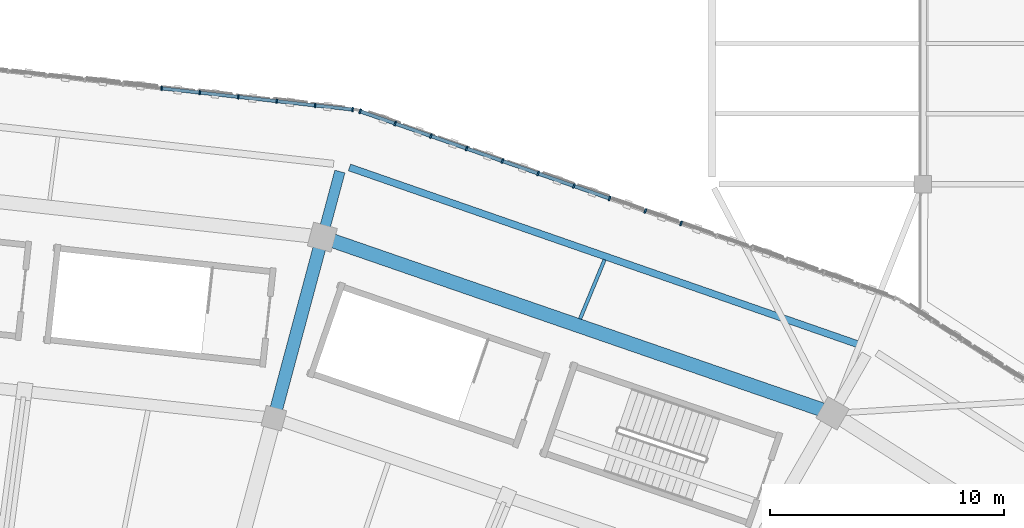
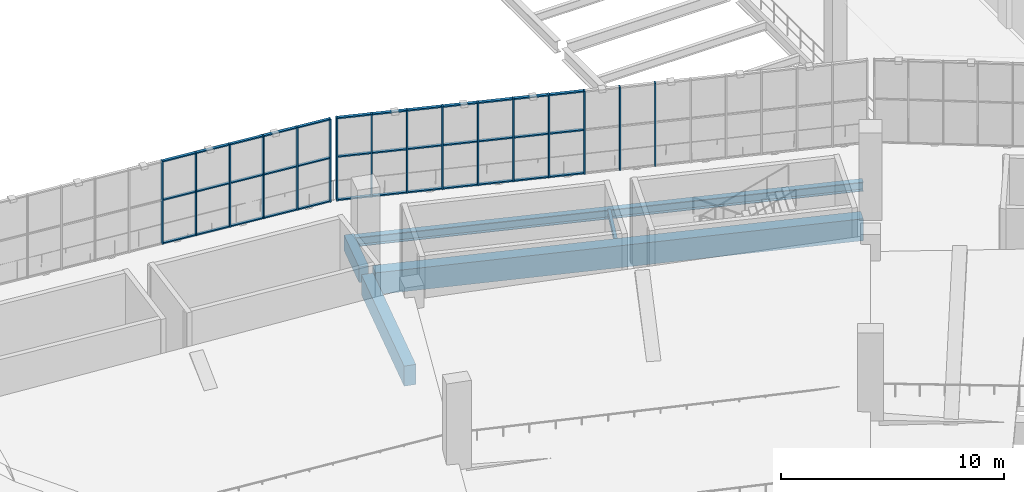
# One storey, part 63 of 152: 52 members, 5 beams, 2 elements without a shape of their own.
"""IFC4 building model written with IfcOpenShell, lengths in metres."""

from ifc_helpers import new_model, si_unit, direction, frame, origin, origin_2d, place, context, subcontext, project, spatial, rectangle, i_section, extrude, material, material_profile, profile_set, type_object, element, aggregate, save


model = new_model("IFC4")

# Units and contexts
model_context = context("Model", 3, precision=1e-05, world=origin(), true_north=direction((0.0, 1.0)))
body_context = subcontext(model_context, "Body", "Model", "MODEL_VIEW")
ifc_project = project(units=[si_unit("LENGTHUNIT", "METRE"), si_unit("AREAUNIT", "SQUARE_METRE"), si_unit("VOLUMEUNIT", "CUBIC_METRE"), si_unit("PLANEANGLEUNIT", "RADIAN"), si_unit("MASSUNIT", "GRAM", prefix="KILO")], contexts=[model_context])

# Site, building, storey
site_placement = place(None, origin())
site = spatial("IfcSite", under=ifc_project, at=site_placement, CompositionType="ELEMENT")
building_placement = place(site_placement, origin())
building = spatial("IfcBuilding", under=site, at=building_placement, Name="Zevraka Park Crest Stadium", CompositionType="ELEMENT")
storey_placement = place(building_placement, frame((0.0, 0.0, 15.0)))
storey = spatial("IfcBuildingStorey", under=building, at=storey_placement, Name="L03", CompositionType="ELEMENT", Elevation=15.0)

# Beams
ifc_material_1 = material(Name="Concrete C40/50", Category="concrete")
ifc_material_profile_1 = material_profile(ifc_material_1, rectangle(XDim=0.550048828125, YDim=1.10009765625, at=origin_2d()), Name="RC 1100x550")
ifc_profile_set_1 = profile_set([ifc_material_profile_1], Name="Concrete C40/50")
beam_type_1 = type_object("IfcBeamType", Name="BG02", PredefinedType="BEAM", material=ifc_profile_set_1)
beam_1_placement = place(storey_placement, frame((133.37890625, 157.297119140625, -0.56005859375), z_axis=(0.258697599806, 0.965958359276, 0.0), x_axis=(-0.965958359276, 0.258697599806, 0.0)))
element("IfcBeam", 1, at=beam_1_placement, inside=storey, type_object=beam_type_1, Name="Radial Girder BG02 L03-CD-05", PredefinedType="BEAM", context=body_context, shape_type="SweptSolid", body=[
    extrude(rectangle(XDim=0.550048828125, YDim=1.10009765625, at=origin_2d()), origin(), (0.0, 0.0, 1.0), 7.39892578125),
])
ifc_material_2 = material(Name="Concrete C40/50", Category="concrete")
ifc_material_profile_2 = material_profile(ifc_material_2, rectangle(XDim=0.449951171875, YDim=0.85009765625, at=origin_2d()), Name="RC 850x450")
ifc_profile_set_2 = profile_set([ifc_material_profile_2], Name="Concrete C40/50")
beam_type_2 = type_object("IfcBeamType", Name="BG03", PredefinedType="BEAM", material=ifc_profile_set_2)
beam_2_placement = place(storey_placement, frame((135.448974609375, 165.02392578125, -0.43505859375), z_axis=(0.258919157159, 0.965898995784, 0.0), x_axis=(-0.965898995784, 0.258919157159, 0.0)))
element("IfcBeam", 2, at=beam_2_placement, inside=storey, type_object=beam_type_2, Name="Radial Girder BG03 L03-DE-05", PredefinedType="BEAM", context=body_context, shape_type="SweptSolid", body=[
    extrude(rectangle(XDim=0.449951171875, YDim=0.85009765625, at=origin_2d()), origin(), (0.0, 0.0, 1.0), 2.599609375),
])

# Curtain wall, members
ifc_material_3 = material(Name="Anodised architectural aluminium and laminated safety glass", Category="aluminium")
curtain_wall_type_1 = type_object("IfcCurtainWallType", Name="CW11", PredefinedType="NOTDEFINED", material=ifc_material_3)
curtain_wall_1_placement = place(storey_placement, origin())
curtain_wall_1 = element("IfcCurtainWall", 3, at=curtain_wall_1_placement, inside=storey, type_object=curtain_wall_type_1, Name="Unitised Ring Curtain Wall CW11 L03-05", PredefinedType="NOTDEFINED")
ifc_material_4 = material(Name="Anodised architectural aluminium", Category="aluminium")
ifc_material_profile_3 = material_profile(ifc_material_4, rectangle(XDim=0.179931640625, YDim=0.06494140625, at=origin_2d()), Name="ALU MULLION 180x65")
ifc_profile_set_3 = profile_set([ifc_material_profile_3], Name="Anodised architectural aluminium")
member_type_1 = type_object("IfcMemberType", Name="CM02", PredefinedType="MULLION", material=ifc_profile_set_3)
member_1_placement = place(storey_placement, frame((136.666748046875, 170.1796875, 0.0), z_axis=(0.0, 0.0, 1.0), x_axis=(-0.110396006373, -0.993887680665, 0.0)))
member_1 = element("IfcMember", 4, at=member_1_placement, type_object=member_type_1, Name="CW11 mullion 1", PredefinedType="MULLION", context=body_context, shape_type="SweptSolid", body=[
    extrude(rectangle(XDim=0.179931640625, YDim=0.06494140625, at=origin_2d()), origin(), (0.0, 0.0, 1.0), 4.5400390625),
])
member_2_placement = place(storey_placement, frame((135.06103515625, 170.35791015625, 0.0), z_axis=(0.0, 0.0, 1.0), x_axis=(-0.110396006373, -0.993887680665, 0.0)))
member_2 = element("IfcMember", 5, at=member_2_placement, type_object=member_type_1, Name="CW11 mullion 2", PredefinedType="MULLION", context=body_context, shape_type="SweptSolid", body=[
    extrude(rectangle(XDim=0.179931640625, YDim=0.06494140625, at=origin_2d()), origin(), (0.0, 0.0, 1.0), 4.5400390625),
])
member_3_placement = place(storey_placement, frame((133.423095703125, 170.539794921875, 0.0), z_axis=(0.0, 0.0, 1.0), x_axis=(-0.110396006373, -0.993887680665, 0.0)))
member_3 = element("IfcMember", 6, at=member_3_placement, type_object=member_type_1, Name="CW11 mullion 3", PredefinedType="MULLION", context=body_context, shape_type="SweptSolid", body=[
    extrude(rectangle(XDim=0.179931640625, YDim=0.06494140625, at=origin_2d()), origin(), (0.0, 0.0, 1.0), 4.5400390625),
])
member_4_placement = place(storey_placement, frame((131.78515625, 170.7216796875, 0.0), z_axis=(0.0, 0.0, 1.0), x_axis=(-0.110396006373, -0.993887680665, 0.0)))
member_4 = element("IfcMember", 7, at=member_4_placement, type_object=member_type_1, Name="CW11 mullion 4", PredefinedType="MULLION", context=body_context, shape_type="SweptSolid", body=[
    extrude(rectangle(XDim=0.179931640625, YDim=0.06494140625, at=origin_2d()), origin(), (0.0, 0.0, 1.0), 4.5400390625),
])
member_5_placement = place(storey_placement, frame((130.147216796875, 170.90380859375, 0.0), z_axis=(0.0, 0.0, 1.0), x_axis=(-0.110396006373, -0.993887680665, 0.0)))
member_5 = element("IfcMember", 8, at=member_5_placement, type_object=member_type_1, Name="CW11 mullion 5", PredefinedType="MULLION", context=body_context, shape_type="SweptSolid", body=[
    extrude(rectangle(XDim=0.179931640625, YDim=0.06494140625, at=origin_2d()), origin(), (0.0, 0.0, 1.0), 4.5400390625),
])
member_6_placement = place(storey_placement, frame((128.50927734375, 171.085693359375, 0.0), z_axis=(0.0, 0.0, 1.0), x_axis=(-0.110396006373, -0.993887680665, 0.0)))
member_6 = element("IfcMember", 9, at=member_6_placement, type_object=member_type_1, Name="CW11 mullion 6", PredefinedType="MULLION", context=body_context, shape_type="SweptSolid", body=[
    extrude(rectangle(XDim=0.179931640625, YDim=0.06494140625, at=origin_2d()), origin(), (0.0, 0.0, 1.0), 4.5400390625),
])

ifc_material_5 = material(Name="Anodised architectural aluminium and laminated safety glass", Category="aluminium")
curtain_wall_type_2 = type_object("IfcCurtainWallType", Name="CW12", PredefinedType="NOTDEFINED", material=ifc_material_5)
curtain_wall_2_placement = place(storey_placement, origin())
curtain_wall_2 = element("IfcCurtainWall", 10, at=curtain_wall_2_placement, inside=storey, type_object=curtain_wall_type_2, Name="Unitised Ring Curtain Wall CW12 L03-04", PredefinedType="NOTDEFINED")
ifc_material_6 = material(Name="Anodised architectural aluminium", Category="aluminium")
ifc_material_profile_4 = material_profile(ifc_material_6, rectangle(XDim=0.199951171875, YDim=0.070068359375, at=origin_2d()), Name="ALU MULLION 200x70")
ifc_profile_set_4 = profile_set([ifc_material_profile_4], Name="Anodised architectural aluminium")
member_type_2 = type_object("IfcMemberType", Name="CM03", PredefinedType="MULLION", material=ifc_profile_set_4)
member_7_placement = place(storey_placement, frame((150.685791015625, 165.318603515625, 0.0), z_axis=(0.0, 0.0, 1.0), x_axis=(-0.329916814701, -0.944010008092, 0.0)))
member_7 = element("IfcMember", 11, at=member_7_placement, type_object=member_type_2, Name="CW12 mullion 7", PredefinedType="MULLION", context=body_context, shape_type="SweptSolid", body=[
    extrude(rectangle(XDim=0.199951171875, YDim=0.070068359375, at=origin_2d()), origin(), (0.0, 0.0, 1.0), 4.5400390625),
])
member_8_placement = place(storey_placement, frame((149.159912109375, 165.851806640625, 0.0), z_axis=(0.0, 0.0, 1.0), x_axis=(-0.329916814701, -0.944010008092, 0.0)))
member_8 = element("IfcMember", 12, at=member_8_placement, type_object=member_type_2, Name="CW12 mullion 8", PredefinedType="MULLION", context=body_context, shape_type="SweptSolid", body=[
    extrude(rectangle(XDim=0.199951171875, YDim=0.070068359375, at=origin_2d()), origin(), (0.0, 0.0, 1.0), 4.5400390625),
])
member_9_placement = place(storey_placement, frame((147.634033203125, 166.38525390625, 0.0), z_axis=(0.0, 0.0, 1.0), x_axis=(-0.329916814701, -0.944010008092, 0.0)))
member_9 = element("IfcMember", 13, at=member_9_placement, type_object=member_type_2, Name="CW12 mullion 9", PredefinedType="MULLION", context=body_context, shape_type="SweptSolid", body=[
    extrude(rectangle(XDim=0.199951171875, YDim=0.070068359375, at=origin_2d()), origin(), (0.0, 0.0, 1.0), 4.5400390625),
])
member_10_placement = place(storey_placement, frame((146.108154296875, 166.91845703125, 0.0), z_axis=(0.0, 0.0, 1.0), x_axis=(-0.329916814701, -0.944010008092, 0.0)))
member_10 = element("IfcMember", 14, at=member_10_placement, type_object=member_type_2, Name="CW12 mullion 10", PredefinedType="MULLION", context=body_context, shape_type="SweptSolid", body=[
    extrude(rectangle(XDim=0.199951171875, YDim=0.070068359375, at=origin_2d()), origin(), (0.0, 0.0, 1.0), 4.5400390625),
])
member_11_placement = place(storey_placement, frame((144.582275390625, 167.45166015625, 0.0), z_axis=(0.0, 0.0, 1.0), x_axis=(-0.329916814701, -0.944010008092, 0.0)))
member_11 = element("IfcMember", 15, at=member_11_placement, type_object=member_type_2, Name="CW12 mullion 11", PredefinedType="MULLION", context=body_context, shape_type="SweptSolid", body=[
    extrude(rectangle(XDim=0.199951171875, YDim=0.070068359375, at=origin_2d()), origin(), (0.0, 0.0, 1.0), 4.5400390625),
])
member_12_placement = place(storey_placement, frame((143.056396484375, 167.98486328125, 0.0), z_axis=(0.0, 0.0, 1.0), x_axis=(-0.329916814701, -0.944010008092, 0.0)))
member_12 = element("IfcMember", 16, at=member_12_placement, type_object=member_type_2, Name="CW12 mullion 12", PredefinedType="MULLION", context=body_context, shape_type="SweptSolid", body=[
    extrude(rectangle(XDim=0.199951171875, YDim=0.070068359375, at=origin_2d()), origin(), (0.0, 0.0, 1.0), 4.5400390625),
])
member_13_placement = place(storey_placement, frame((141.530517578125, 168.518310546875, 0.0), z_axis=(0.0, 0.0, 1.0), x_axis=(-0.329916814701, -0.944010008092, 0.0)))
member_13 = element("IfcMember", 17, at=member_13_placement, type_object=member_type_2, Name="CW12 mullion 13", PredefinedType="MULLION", context=body_context, shape_type="SweptSolid", body=[
    extrude(rectangle(XDim=0.199951171875, YDim=0.070068359375, at=origin_2d()), origin(), (0.0, 0.0, 1.0), 4.5400390625),
])
member_14_placement = place(storey_placement, frame((140.004638671875, 169.051513671875, 0.0), z_axis=(0.0, 0.0, 1.0), x_axis=(-0.329916814701, -0.944010008092, 0.0)))
member_14 = element("IfcMember", 18, at=member_14_placement, type_object=member_type_2, Name="CW12 mullion 14", PredefinedType="MULLION", context=body_context, shape_type="SweptSolid", body=[
    extrude(rectangle(XDim=0.199951171875, YDim=0.070068359375, at=origin_2d()), origin(), (0.0, 0.0, 1.0), 4.5400390625),
])
member_15_placement = place(storey_placement, frame((138.478759765625, 169.584716796875, 0.0), z_axis=(0.0, 0.0, 1.0), x_axis=(-0.329916814701, -0.944010008092, 0.0)))
member_15 = element("IfcMember", 19, at=member_15_placement, type_object=member_type_2, Name="CW12 mullion 15", PredefinedType="MULLION", context=body_context, shape_type="SweptSolid", body=[
    extrude(rectangle(XDim=0.199951171875, YDim=0.070068359375, at=origin_2d()), origin(), (0.0, 0.0, 1.0), 4.5400390625),
])
member_16_placement = place(storey_placement, frame((136.986083984375, 170.1064453125, 0.0), z_axis=(0.0, 0.0, 1.0), x_axis=(-0.329916814701, -0.944010008092, 0.0)))
member_16 = element("IfcMember", 20, at=member_16_placement, type_object=member_type_2, Name="CW12 mullion 16", PredefinedType="MULLION", context=body_context, shape_type="SweptSolid", body=[
    extrude(rectangle(XDim=0.199951171875, YDim=0.070068359375, at=origin_2d()), origin(), (0.0, 0.0, 1.0), 4.5400390625),
])

# Member
ifc_material_7 = material(Name="Anodised architectural aluminium", Category="aluminium")
ifc_material_profile_5 = material_profile(ifc_material_7, rectangle(XDim=0.139892578125, YDim=0.06494140625, at=origin_2d()), Name="ALU TRANSOM 140x65")
ifc_profile_set_5 = profile_set([ifc_material_profile_5], Name="Anodised architectural aluminium")
member_type_3 = type_object("IfcMemberType", Name="CT02", PredefinedType="USERDEFINED", material=ifc_profile_set_5)
member_17_placement = place(storey_placement, frame((136.63427734375, 170.18310546875, 0.032470703125), z_axis=(-0.993889494064, 0.110379679236, 0.0), x_axis=(-0.110379679236, -0.993889494064, 0.0)))
member_17 = element("IfcMember", 21, at=member_17_placement, type_object=member_type_3, Name="CW11 transom 1.1", ObjectType="TRANSOM", PredefinedType="USERDEFINED", context=body_context, shape_type="SweptSolid", body=[
    extrude(rectangle(XDim=0.139892578125, YDim=0.06494140625, at=origin_2d()), origin(), (0.0, 0.0, 1.0), 1.550537109375),
])

member_18_placement = place(storey_placement, frame((136.63427734375, 170.18310546875, 2.39990234375), z_axis=(-0.993889494064, 0.110379679236, 0.0), x_axis=(-0.110379679236, -0.993889494064, 0.0)))
member_18 = element("IfcMember", 22, at=member_18_placement, type_object=member_type_3, Name="CW11 transom 1.2", ObjectType="TRANSOM", PredefinedType="USERDEFINED", context=body_context, shape_type="SweptSolid", body=[
    extrude(rectangle(XDim=0.139892578125, YDim=0.06494140625, at=origin_2d()), origin(), (0.0, 0.0, 1.0), 1.550537109375),
])

member_19_placement = place(storey_placement, frame((136.63427734375, 170.18310546875, 4.507568359375), z_axis=(-0.993889494064, 0.110379679236, 0.0), x_axis=(-0.110379679236, -0.993889494064, 0.0)))
member_19 = element("IfcMember", 23, at=member_19_placement, type_object=member_type_3, Name="CW11 transom 1.3", ObjectType="TRANSOM", PredefinedType="USERDEFINED", context=body_context, shape_type="SweptSolid", body=[
    extrude(rectangle(XDim=0.139892578125, YDim=0.06494140625, at=origin_2d()), origin(), (0.0, 0.0, 1.0), 1.550537109375),
])

member_20_placement = place(storey_placement, frame((135.02880859375, 170.361572265625, 0.032470703125), z_axis=(-0.993885615143, 0.110414600534, 0.0), x_axis=(-0.110414600534, -0.993885615143, 0.0)))
member_20 = element("IfcMember", 24, at=member_20_placement, type_object=member_type_3, Name="CW11 transom 2.1", ObjectType="TRANSOM", PredefinedType="USERDEFINED", context=body_context, shape_type="SweptSolid", body=[
    extrude(rectangle(XDim=0.139892578125, YDim=0.06494140625, at=origin_2d()), origin(), (0.0, 0.0, 1.0), 1.583251953125),
])

member_21_placement = place(storey_placement, frame((135.02880859375, 170.361572265625, 2.39990234375), z_axis=(-0.993885615143, 0.110414600534, 0.0), x_axis=(-0.110414600534, -0.993885615143, 0.0)))
member_21 = element("IfcMember", 25, at=member_21_placement, type_object=member_type_3, Name="CW11 transom 2.2", ObjectType="TRANSOM", PredefinedType="USERDEFINED", context=body_context, shape_type="SweptSolid", body=[
    extrude(rectangle(XDim=0.139892578125, YDim=0.06494140625, at=origin_2d()), origin(), (0.0, 0.0, 1.0), 1.583251953125),
])

member_22_placement = place(storey_placement, frame((135.02880859375, 170.361572265625, 4.507568359375), z_axis=(-0.993885615143, 0.110414600534, 0.0), x_axis=(-0.110414600534, -0.993885615143, 0.0)))
member_22 = element("IfcMember", 26, at=member_22_placement, type_object=member_type_3, Name="CW11 transom 2.3", ObjectType="TRANSOM", PredefinedType="USERDEFINED", context=body_context, shape_type="SweptSolid", body=[
    extrude(rectangle(XDim=0.139892578125, YDim=0.06494140625, at=origin_2d()), origin(), (0.0, 0.0, 1.0), 1.583251953125),
])

member_23_placement = place(storey_placement, frame((133.390869140625, 170.54345703125, 0.032470703125), z_axis=(-0.993885615143, 0.110414600534, 0.0), x_axis=(-0.110414600534, -0.993885615143, 0.0)))
member_23 = element("IfcMember", 27, at=member_23_placement, type_object=member_type_3, Name="CW11 transom 3.1", ObjectType="TRANSOM", PredefinedType="USERDEFINED", context=body_context, shape_type="SweptSolid", body=[
    extrude(rectangle(XDim=0.139892578125, YDim=0.06494140625, at=origin_2d()), origin(), (0.0, 0.0, 1.0), 1.583251953125),
])

member_24_placement = place(storey_placement, frame((133.390869140625, 170.54345703125, 2.39990234375), z_axis=(-0.993885615143, 0.110414600534, 0.0), x_axis=(-0.110414600534, -0.993885615143, 0.0)))
member_24 = element("IfcMember", 28, at=member_24_placement, type_object=member_type_3, Name="CW11 transom 3.2", ObjectType="TRANSOM", PredefinedType="USERDEFINED", context=body_context, shape_type="SweptSolid", body=[
    extrude(rectangle(XDim=0.139892578125, YDim=0.06494140625, at=origin_2d()), origin(), (0.0, 0.0, 1.0), 1.583251953125),
])

member_25_placement = place(storey_placement, frame((133.390869140625, 170.54345703125, 4.507568359375), z_axis=(-0.993885615143, 0.110414600534, 0.0), x_axis=(-0.110414600534, -0.993885615143, 0.0)))
member_25 = element("IfcMember", 29, at=member_25_placement, type_object=member_type_3, Name="CW11 transom 3.3", ObjectType="TRANSOM", PredefinedType="USERDEFINED", context=body_context, shape_type="SweptSolid", body=[
    extrude(rectangle(XDim=0.139892578125, YDim=0.06494140625, at=origin_2d()), origin(), (0.0, 0.0, 1.0), 1.583251953125),
])

member_26_placement = place(storey_placement, frame((131.7529296875, 170.725341796875, 0.032470703125), z_axis=(-0.993883734674, 0.110431526075, 0.0), x_axis=(-0.110431526075, -0.993883734674, 0.0)))
member_26 = element("IfcMember", 30, at=member_26_placement, type_object=member_type_3, Name="CW11 transom 4.1", ObjectType="TRANSOM", PredefinedType="USERDEFINED", context=body_context, shape_type="SweptSolid", body=[
    extrude(rectangle(XDim=0.139892578125, YDim=0.06494140625, at=origin_2d()), origin(), (0.0, 0.0, 1.0), 1.5830078125),
])

member_27_placement = place(storey_placement, frame((131.7529296875, 170.725341796875, 2.39990234375), z_axis=(-0.993883734674, 0.110431526075, 0.0), x_axis=(-0.110431526075, -0.993883734674, 0.0)))
member_27 = element("IfcMember", 31, at=member_27_placement, type_object=member_type_3, Name="CW11 transom 4.2", ObjectType="TRANSOM", PredefinedType="USERDEFINED", context=body_context, shape_type="SweptSolid", body=[
    extrude(rectangle(XDim=0.139892578125, YDim=0.06494140625, at=origin_2d()), origin(), (0.0, 0.0, 1.0), 1.5830078125),
])

member_28_placement = place(storey_placement, frame((131.7529296875, 170.725341796875, 4.507568359375), z_axis=(-0.993883734674, 0.110431526075, 0.0), x_axis=(-0.110431526075, -0.993883734674, 0.0)))
member_28 = element("IfcMember", 32, at=member_28_placement, type_object=member_type_3, Name="CW11 transom 4.3", ObjectType="TRANSOM", PredefinedType="USERDEFINED", context=body_context, shape_type="SweptSolid", body=[
    extrude(rectangle(XDim=0.139892578125, YDim=0.06494140625, at=origin_2d()), origin(), (0.0, 0.0, 1.0), 1.5830078125),
])

member_29_placement = place(storey_placement, frame((130.114990234375, 170.9072265625, 0.032470703125), z_axis=(-0.993883734674, 0.110431526075, 0.0), x_axis=(-0.110431526075, -0.993883734674, 0.0)))
member_29 = element("IfcMember", 33, at=member_29_placement, type_object=member_type_3, Name="CW11 transom 5.1", ObjectType="TRANSOM", PredefinedType="USERDEFINED", context=body_context, shape_type="SweptSolid", body=[
    extrude(rectangle(XDim=0.139892578125, YDim=0.06494140625, at=origin_2d()), origin(), (0.0, 0.0, 1.0), 1.5830078125),
])

member_30_placement = place(storey_placement, frame((130.114990234375, 170.9072265625, 2.39990234375), z_axis=(-0.993883734674, 0.110431526075, 0.0), x_axis=(-0.110431526075, -0.993883734674, 0.0)))
member_30 = element("IfcMember", 34, at=member_30_placement, type_object=member_type_3, Name="CW11 transom 5.2", ObjectType="TRANSOM", PredefinedType="USERDEFINED", context=body_context, shape_type="SweptSolid", body=[
    extrude(rectangle(XDim=0.139892578125, YDim=0.06494140625, at=origin_2d()), origin(), (0.0, 0.0, 1.0), 1.5830078125),
])

member_31_placement = place(storey_placement, frame((130.114990234375, 170.9072265625, 4.507568359375), z_axis=(-0.993883734674, 0.110431526075, 0.0), x_axis=(-0.110431526075, -0.993883734674, 0.0)))
member_31 = element("IfcMember", 35, at=member_31_placement, type_object=member_type_3, Name="CW11 transom 5.3", ObjectType="TRANSOM", PredefinedType="USERDEFINED", context=body_context, shape_type="SweptSolid", body=[
    extrude(rectangle(XDim=0.139892578125, YDim=0.06494140625, at=origin_2d()), origin(), (0.0, 0.0, 1.0), 1.5830078125),
])

aggregate(curtain_wall_1, [member_1, member_2, member_3, member_4, member_5, member_6, member_17, member_18, member_19, member_20, member_21, member_22, member_23, member_24, member_25, member_26, member_27, member_28, member_29, member_30, member_31])

ifc_material_8 = material(Name="Anodised architectural aluminium", Category="aluminium")
ifc_material_profile_6 = material_profile(ifc_material_8, rectangle(XDim=0.14990234375, YDim=0.070068359375, at=origin_2d()), Name="ALU TRANSOM 150x70")
ifc_profile_set_6 = profile_set([ifc_material_profile_6], Name="Anodised architectural aluminium")
member_type_4 = type_object("IfcMemberType", Name="CT03", PredefinedType="USERDEFINED", material=ifc_profile_set_6)
member_32_placement = place(storey_placement, frame((147.60107421875, 166.396728515625, 0.034912109375), z_axis=(-0.944037911501, 0.329836962222, 0.0), x_axis=(-0.329836962222, -0.944037911501, 0.0)))
member_32 = element("IfcMember", 36, at=member_32_placement, type_object=member_type_4, Name="CW12 transom 9.1", ObjectType="TRANSOM", PredefinedType="USERDEFINED", context=body_context, shape_type="SweptSolid", body=[
    extrude(rectangle(XDim=0.14990234375, YDim=0.070068359375, at=origin_2d()), origin(), (0.0, 0.0, 1.0), 1.546142578125),
])

member_33_placement = place(storey_placement, frame((147.60107421875, 166.396728515625, 2.39990234375), z_axis=(-0.944037911501, 0.329836962222, 0.0), x_axis=(-0.329836962222, -0.944037911501, 0.0)))
member_33 = element("IfcMember", 37, at=member_33_placement, type_object=member_type_4, Name="CW12 transom 9.2", ObjectType="TRANSOM", PredefinedType="USERDEFINED", context=body_context, shape_type="SweptSolid", body=[
    extrude(rectangle(XDim=0.14990234375, YDim=0.070068359375, at=origin_2d()), origin(), (0.0, 0.0, 1.0), 1.546142578125),
])

member_34_placement = place(storey_placement, frame((147.60107421875, 166.396728515625, 4.5048828125), z_axis=(-0.944037911501, 0.329836962222, 0.0), x_axis=(-0.329836962222, -0.944037911501, 0.0)))
member_34 = element("IfcMember", 38, at=member_34_placement, type_object=member_type_4, Name="CW12 transom 9.3", ObjectType="TRANSOM", PredefinedType="USERDEFINED", context=body_context, shape_type="SweptSolid", body=[
    extrude(rectangle(XDim=0.14990234375, YDim=0.070068359375, at=origin_2d()), origin(), (0.0, 0.0, 1.0), 1.546142578125),
])

member_35_placement = place(storey_placement, frame((146.0751953125, 166.929931640625, 0.034912109375), z_axis=(-0.943988739301, 0.329977666021, 0.0), x_axis=(-0.329977666021, -0.943988739301, 0.0)))
member_35 = element("IfcMember", 39, at=member_35_placement, type_object=member_type_4, Name="CW12 transom 10.1", ObjectType="TRANSOM", PredefinedType="USERDEFINED", context=body_context, shape_type="SweptSolid", body=[
    extrude(rectangle(XDim=0.14990234375, YDim=0.070068359375, at=origin_2d()), origin(), (0.0, 0.0, 1.0), 1.54638671875),
])

member_36_placement = place(storey_placement, frame((146.0751953125, 166.929931640625, 2.39990234375), z_axis=(-0.943988739301, 0.329977666021, 0.0), x_axis=(-0.329977666021, -0.943988739301, 0.0)))
member_36 = element("IfcMember", 40, at=member_36_placement, type_object=member_type_4, Name="CW12 transom 10.2", ObjectType="TRANSOM", PredefinedType="USERDEFINED", context=body_context, shape_type="SweptSolid", body=[
    extrude(rectangle(XDim=0.14990234375, YDim=0.070068359375, at=origin_2d()), origin(), (0.0, 0.0, 1.0), 1.54638671875),
])

member_37_placement = place(storey_placement, frame((146.0751953125, 166.929931640625, 4.5048828125), z_axis=(-0.943988739301, 0.329977666021, 0.0), x_axis=(-0.329977666021, -0.943988739301, 0.0)))
member_37 = element("IfcMember", 41, at=member_37_placement, type_object=member_type_4, Name="CW12 transom 10.3", ObjectType="TRANSOM", PredefinedType="USERDEFINED", context=body_context, shape_type="SweptSolid", body=[
    extrude(rectangle(XDim=0.14990234375, YDim=0.070068359375, at=origin_2d()), origin(), (0.0, 0.0, 1.0), 1.54638671875),
])

member_38_placement = place(storey_placement, frame((144.54931640625, 167.463134765625, 0.034912109375), z_axis=(-0.943988739301, 0.329977666021, 0.0), x_axis=(-0.329977666021, -0.943988739301, 0.0)))
member_38 = element("IfcMember", 42, at=member_38_placement, type_object=member_type_4, Name="CW12 transom 11.1", ObjectType="TRANSOM", PredefinedType="USERDEFINED", context=body_context, shape_type="SweptSolid", body=[
    extrude(rectangle(XDim=0.14990234375, YDim=0.070068359375, at=origin_2d()), origin(), (0.0, 0.0, 1.0), 1.54638671875),
])

member_39_placement = place(storey_placement, frame((144.54931640625, 167.463134765625, 2.39990234375), z_axis=(-0.943988739301, 0.329977666021, 0.0), x_axis=(-0.329977666021, -0.943988739301, 0.0)))
member_39 = element("IfcMember", 43, at=member_39_placement, type_object=member_type_4, Name="CW12 transom 11.2", ObjectType="TRANSOM", PredefinedType="USERDEFINED", context=body_context, shape_type="SweptSolid", body=[
    extrude(rectangle(XDim=0.14990234375, YDim=0.070068359375, at=origin_2d()), origin(), (0.0, 0.0, 1.0), 1.54638671875),
])

member_40_placement = place(storey_placement, frame((144.54931640625, 167.463134765625, 4.5048828125), z_axis=(-0.943988739301, 0.329977666021, 0.0), x_axis=(-0.329977666021, -0.943988739301, 0.0)))
member_40 = element("IfcMember", 44, at=member_40_placement, type_object=member_type_4, Name="CW12 transom 11.3", ObjectType="TRANSOM", PredefinedType="USERDEFINED", context=body_context, shape_type="SweptSolid", body=[
    extrude(rectangle(XDim=0.14990234375, YDim=0.070068359375, at=origin_2d()), origin(), (0.0, 0.0, 1.0), 1.54638671875),
])

member_41_placement = place(storey_placement, frame((143.0234375, 167.99658203125, 0.034912109375), z_axis=(-0.944037911501, 0.329836962222, 0.0), x_axis=(-0.329836962222, -0.944037911501, 0.0)))
member_41 = element("IfcMember", 45, at=member_41_placement, type_object=member_type_4, Name="CW12 transom 12.1", ObjectType="TRANSOM", PredefinedType="USERDEFINED", context=body_context, shape_type="SweptSolid", body=[
    extrude(rectangle(XDim=0.14990234375, YDim=0.070068359375, at=origin_2d()), origin(), (0.0, 0.0, 1.0), 1.546142578125),
])

member_42_placement = place(storey_placement, frame((143.0234375, 167.99658203125, 2.39990234375), z_axis=(-0.944037911501, 0.329836962222, 0.0), x_axis=(-0.329836962222, -0.944037911501, 0.0)))
member_42 = element("IfcMember", 46, at=member_42_placement, type_object=member_type_4, Name="CW12 transom 12.2", ObjectType="TRANSOM", PredefinedType="USERDEFINED", context=body_context, shape_type="SweptSolid", body=[
    extrude(rectangle(XDim=0.14990234375, YDim=0.070068359375, at=origin_2d()), origin(), (0.0, 0.0, 1.0), 1.546142578125),
])

member_43_placement = place(storey_placement, frame((143.0234375, 167.99658203125, 4.5048828125), z_axis=(-0.944037911501, 0.329836962222, 0.0), x_axis=(-0.329836962222, -0.944037911501, 0.0)))
member_43 = element("IfcMember", 47, at=member_43_placement, type_object=member_type_4, Name="CW12 transom 12.3", ObjectType="TRANSOM", PredefinedType="USERDEFINED", context=body_context, shape_type="SweptSolid", body=[
    extrude(rectangle(XDim=0.14990234375, YDim=0.070068359375, at=origin_2d()), origin(), (0.0, 0.0, 1.0), 1.546142578125),
])

member_44_placement = place(storey_placement, frame((141.49755859375, 168.52978515625, 0.034912109375), z_axis=(-0.943988739301, 0.329977666021, 0.0), x_axis=(-0.329977666021, -0.943988739301, 0.0)))
member_44 = element("IfcMember", 48, at=member_44_placement, type_object=member_type_4, Name="CW12 transom 13.1", ObjectType="TRANSOM", PredefinedType="USERDEFINED", context=body_context, shape_type="SweptSolid", body=[
    extrude(rectangle(XDim=0.14990234375, YDim=0.070068359375, at=origin_2d()), origin(), (0.0, 0.0, 1.0), 1.54638671875),
])

member_45_placement = place(storey_placement, frame((141.49755859375, 168.52978515625, 2.39990234375), z_axis=(-0.943988739301, 0.329977666021, 0.0), x_axis=(-0.329977666021, -0.943988739301, 0.0)))
member_45 = element("IfcMember", 49, at=member_45_placement, type_object=member_type_4, Name="CW12 transom 13.2", ObjectType="TRANSOM", PredefinedType="USERDEFINED", context=body_context, shape_type="SweptSolid", body=[
    extrude(rectangle(XDim=0.14990234375, YDim=0.070068359375, at=origin_2d()), origin(), (0.0, 0.0, 1.0), 1.54638671875),
])

member_46_placement = place(storey_placement, frame((141.49755859375, 168.52978515625, 4.5048828125), z_axis=(-0.943988739301, 0.329977666021, 0.0), x_axis=(-0.329977666021, -0.943988739301, 0.0)))
member_46 = element("IfcMember", 50, at=member_46_placement, type_object=member_type_4, Name="CW12 transom 13.3", ObjectType="TRANSOM", PredefinedType="USERDEFINED", context=body_context, shape_type="SweptSolid", body=[
    extrude(rectangle(XDim=0.14990234375, YDim=0.070068359375, at=origin_2d()), origin(), (0.0, 0.0, 1.0), 1.54638671875),
])

member_47_placement = place(storey_placement, frame((139.9716796875, 169.06298828125, 0.034912109375), z_axis=(-0.943988739301, 0.329977666021, 0.0), x_axis=(-0.329977666021, -0.943988739301, 0.0)))
member_47 = element("IfcMember", 51, at=member_47_placement, type_object=member_type_4, Name="CW12 transom 14.1", ObjectType="TRANSOM", PredefinedType="USERDEFINED", context=body_context, shape_type="SweptSolid", body=[
    extrude(rectangle(XDim=0.14990234375, YDim=0.070068359375, at=origin_2d()), origin(), (0.0, 0.0, 1.0), 1.54638671875),
])

member_48_placement = place(storey_placement, frame((139.9716796875, 169.06298828125, 2.39990234375), z_axis=(-0.943988739301, 0.329977666021, 0.0), x_axis=(-0.329977666021, -0.943988739301, 0.0)))
member_48 = element("IfcMember", 52, at=member_48_placement, type_object=member_type_4, Name="CW12 transom 14.2", ObjectType="TRANSOM", PredefinedType="USERDEFINED", context=body_context, shape_type="SweptSolid", body=[
    extrude(rectangle(XDim=0.14990234375, YDim=0.070068359375, at=origin_2d()), origin(), (0.0, 0.0, 1.0), 1.54638671875),
])

member_49_placement = place(storey_placement, frame((139.9716796875, 169.06298828125, 4.5048828125), z_axis=(-0.943988739301, 0.329977666021, 0.0), x_axis=(-0.329977666021, -0.943988739301, 0.0)))
member_49 = element("IfcMember", 53, at=member_49_placement, type_object=member_type_4, Name="CW12 transom 14.3", ObjectType="TRANSOM", PredefinedType="USERDEFINED", context=body_context, shape_type="SweptSolid", body=[
    extrude(rectangle(XDim=0.14990234375, YDim=0.070068359375, at=origin_2d()), origin(), (0.0, 0.0, 1.0), 1.54638671875),
])

member_50_placement = place(storey_placement, frame((138.44580078125, 169.59619140625, 0.034912109375), z_axis=(-0.943979170589, 0.330005038589, 0.0), x_axis=(-0.330005038589, -0.943979170589, 0.0)))
member_50 = element("IfcMember", 54, at=member_50_placement, type_object=member_type_4, Name="CW12 transom 15.1", ObjectType="TRANSOM", PredefinedType="USERDEFINED", context=body_context, shape_type="SweptSolid", body=[
    extrude(rectangle(XDim=0.14990234375, YDim=0.070068359375, at=origin_2d()), origin(), (0.0, 0.0, 1.0), 1.511474609375),
])

member_51_placement = place(storey_placement, frame((138.44580078125, 169.59619140625, 2.39990234375), z_axis=(-0.943979170589, 0.330005038589, 0.0), x_axis=(-0.330005038589, -0.943979170589, 0.0)))
member_51 = element("IfcMember", 55, at=member_51_placement, type_object=member_type_4, Name="CW12 transom 15.2", ObjectType="TRANSOM", PredefinedType="USERDEFINED", context=body_context, shape_type="SweptSolid", body=[
    extrude(rectangle(XDim=0.14990234375, YDim=0.070068359375, at=origin_2d()), origin(), (0.0, 0.0, 1.0), 1.511474609375),
])

member_52_placement = place(storey_placement, frame((138.44580078125, 169.59619140625, 4.5048828125), z_axis=(-0.943979170589, 0.330005038589, 0.0), x_axis=(-0.330005038589, -0.943979170589, 0.0)))
member_52 = element("IfcMember", 56, at=member_52_placement, type_object=member_type_4, Name="CW12 transom 15.3", ObjectType="TRANSOM", PredefinedType="USERDEFINED", context=body_context, shape_type="SweptSolid", body=[
    extrude(rectangle(XDim=0.14990234375, YDim=0.070068359375, at=origin_2d()), origin(), (0.0, 0.0, 1.0), 1.511474609375),
])

aggregate(curtain_wall_2, [member_7, member_8, member_9, member_10, member_11, member_12, member_13, member_14, member_15, member_16, member_32, member_33, member_34, member_35, member_36, member_37, member_38, member_39, member_40, member_41, member_42, member_43, member_44, member_45, member_46, member_47, member_48, member_49, member_50, member_51, member_52])

# Beams
ifc_material_9 = material(Name="Concrete C40/50", Category="concrete")
ifc_material_profile_7 = material_profile(ifc_material_9, rectangle(XDim=0.60009765625, YDim=1.199951171875, at=origin_2d()), Name="RC 1200x600")
ifc_profile_set_7 = profile_set([ifc_material_profile_7], Name="Concrete C40/50")
beam_type_3 = type_object("IfcBeamType", Name="RB01", PredefinedType="BEAM", material=ifc_profile_set_7)
beam_3_placement = place(storey_placement, frame((156.791015625, 157.3359375, -0.610107421875), z_axis=(-0.945210431582, 0.326461697644, 0.0), x_axis=(-0.326461697644, -0.945210431582, 0.0)))
element("IfcBeam", 57, at=beam_3_placement, inside=storey, type_object=beam_type_3, Name="Ring Beam RB01 L03-D-04", PredefinedType="BEAM", context=body_context, shape_type="SweptSolid", body=[
    extrude(rectangle(XDim=0.60009765625, YDim=1.199951171875, at=origin_2d()), origin(), (0.0, 0.0, 1.0), 22.28173828125),
])
ifc_material_10 = material(Name="Steel S355", Category="steel")
ifc_material_profile_8 = material_profile(ifc_material_10, i_section(OverallWidth=0.300048828125, OverallDepth=0.5, WebThickness=0.014404296875, FlangeThickness=0.028076171875, at=origin_2d()), Name="HEB 500")
ifc_profile_set_8 = profile_set([ifc_material_profile_8], Name="Steel S355")
beam_type_4 = type_object("IfcBeamType", Name="RB05", PredefinedType="BEAM", material=ifc_profile_set_8)
beam_4_placement = place(storey_placement, frame((158.4189453125, 160.097900390625, -0.60498046875), z_axis=(-0.944512003331, 0.328476902634, 0.0), x_axis=(-0.328476902634, -0.944512003331, 0.0)))
element("IfcBeam", 58, at=beam_4_placement, inside=storey, type_object=beam_type_4, Name="Ring Beam RB05 L03-E-04", PredefinedType="BEAM", context=body_context, shape_type="SweptSolid", body=[
    extrude(i_section(OverallWidth=0.300048828125, OverallDepth=0.5, WebThickness=0.014404296875, FlangeThickness=0.028076171875, at=origin_2d()), origin(), (0.0, 0.0, 1.0), 23.173828125),
])
ifc_material_11 = material(Name="Steel S355", Category="steel")
ifc_material_profile_9 = material_profile(ifc_material_11, i_section(OverallWidth=0.14990234375, OverallDepth=0.300048828125, WebThickness=0.007080078125, FlangeThickness=0.0107421875, at=origin_2d()), Name="IPE 300")
ifc_profile_set_9 = profile_set([ifc_material_profile_9], Name="Steel S355")
beam_type_5 = type_object("IfcBeamType", Name="SJ01", PredefinedType="JOIST", material=ifc_profile_set_9)
beam_5_placement = place(storey_placement, frame((146.373046875, 161.24609375, -0.4580078125), z_axis=(0.3828253139, 0.923820750491, 0.0), x_axis=(-0.923820750491, 0.3828253139, 0.0)))
element("IfcBeam", 59, at=beam_5_placement, inside=storey, type_object=beam_type_5, Name="Floor Joist SJ01 L03-DE-04-1", PredefinedType="JOIST", context=body_context, shape_type="SweptSolid", body=[
    extrude(i_section(OverallWidth=0.14990234375, OverallDepth=0.300048828125, WebThickness=0.007080078125, FlangeThickness=0.0107421875, at=origin_2d()), origin(), (0.0, 0.0, 1.0), 2.73193359375),
])

save(model, "model.ifc")
